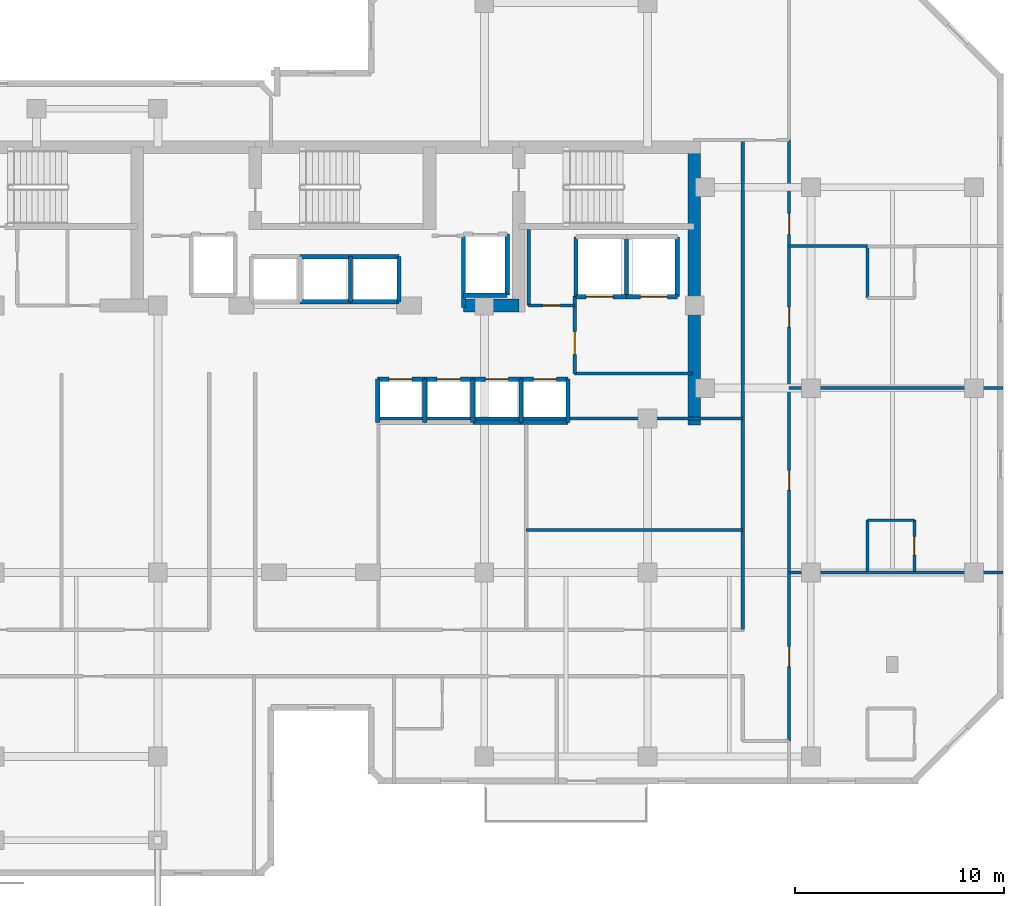
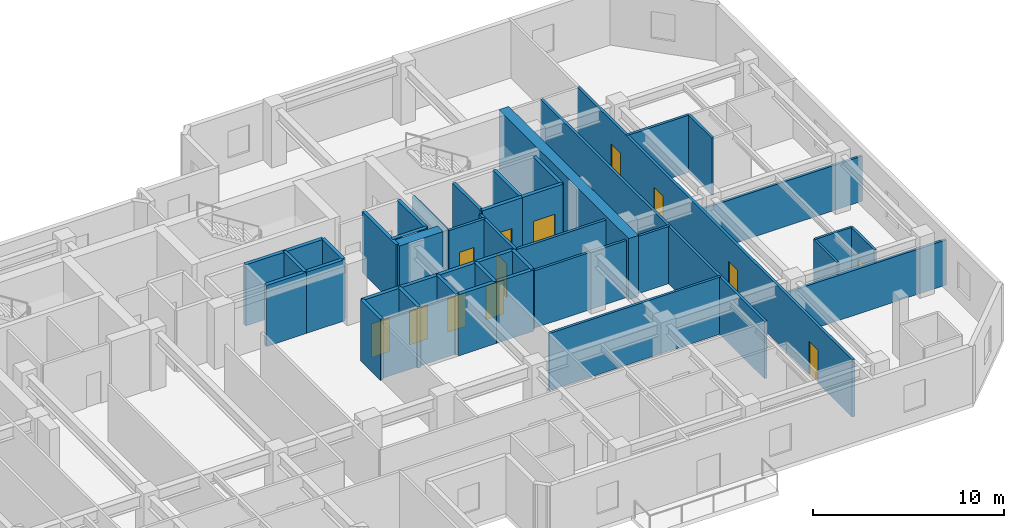
# One storey, part 6 of 10: 42 walls, 13 doors, 13 openings.
"""IFC4 building model written with IfcOpenShell, lengths in metres."""

from ifc_helpers import new_model, si_unit, direction, frame, frame_2d, origin, place, context, subcontext, project, spatial, rectangle, extrude, material, layer, layer_set, type_object, element, fill, save


model = new_model("IFC4")

# Units and contexts
model_context = context("Model", 3, precision=1e-05, world=origin(), true_north=direction((0.0, 1.0)))
body_context = subcontext(model_context, "Body", "Model", "MODEL_VIEW")
ifc_project = project(units=[si_unit("LENGTHUNIT", "METRE"), si_unit("AREAUNIT", "SQUARE_METRE"), si_unit("VOLUMEUNIT", "CUBIC_METRE"), si_unit("PLANEANGLEUNIT", "RADIAN"), si_unit("MASSUNIT", "GRAM", prefix="KILO")], contexts=[model_context])

# Site, building, storey
site_placement = place(None, origin())
site = spatial("IfcSite", under=ifc_project, at=site_placement, CompositionType="ELEMENT")
building_placement = place(site_placement, origin())
building = spatial("IfcBuilding", under=site, at=building_placement, Name="Kestravale Grand Hotel", CompositionType="ELEMENT")
storey_placement = place(building_placement, frame((0.0, 0.0, 196.800048828125)))
storey = spatial("IfcBuildingStorey", under=building, at=storey_placement, Name="L49", CompositionType="ELEMENT", Elevation=196.800048828125)

# Walls
ifc_material_1 = material(Name="Concrete f'c 50 MPa", Category="concrete")
ifc_layer_1 = layer(ifc_material_1, 0.60009765625)
ifc_layer_set_1 = layer_set([ifc_layer_1], Name="EW-CORE-600")
wall_type_1 = type_object("IfcWallType", Name="EW-CORE-600", PredefinedType="SHEAR", material=ifc_layer_set_1)
wall_1_placement = place(storey_placement, frame((56.820068359375, 27.050048828125, 0.0), z_axis=(0.0, 0.0, 1.0), x_axis=(0.0, 1.0, 0.0)))
element("IfcWall", 1, at=wall_1_placement, inside=storey, type_object=wall_type_1, Name="L49 core shear wall E1", PredefinedType="SHEAR", context=body_context, shape_type="SweptSolid", body=[
    extrude(rectangle(XDim=13.570068359375, YDim=0.60009765625, at=frame_2d((6.78515625, 0.0))), origin(), (0.0, 0.0, 1.0), 3.89990234375),
])
wall_2_placement = place(storey_placement, frame((45.81005859375, 32.75, 0.0), z_axis=(0.0, 0.0, 1.0), x_axis=(1.0, 0.0, 0.0)))
element("IfcWall", 2, at=wall_2_placement, inside=storey, type_object=wall_type_1, Name="L49 core shear wall S2", PredefinedType="SHEAR", context=body_context, shape_type="SweptSolid", body=[
    extrude(rectangle(XDim=2.639892578125, YDim=0.60009765625, at=frame_2d((1.31982421875, 0.0))), origin(), (0.0, 0.0, 1.0), 3.89990234375),
])

# Wall, opening, door
ifc_material_2 = material(Name="Acoustic fire-rated gypsum board partition", Category="other")
ifc_layer_2 = layer(ifc_material_2, 0.159912109375)
ifc_layer_set_2 = layer_set([ifc_layer_2], Name="IW-CORR-160")
wall_type_2 = type_object("IfcWallType", Name="IW-CORR-160", PredefinedType="PARTITIONING", material=ifc_layer_set_2)
wall_3_placement = place(storey_placement, frame((51.1201171875, 29.5, 0.0), z_axis=(0.0, 0.0, 1.0), x_axis=(0.0, 1.0, 0.0)))
wall_3 = element("IfcWall", 3, at=wall_3_placement, inside=storey, type_object=wall_type_2, Name="W-L49-SVCLOB-W", PredefinedType="PARTITIONING", context=body_context, shape_type="SweptSolid", body=[
    extrude(rectangle(XDim=3.699951171875, YDim=0.159912109375, at=frame_2d((1.85009765625, 0.0))), origin(), (0.0, 0.0, 1.0), 3.64990234375),
])
opening_1_placement = place(wall_3_placement, frame((0.89990234375, 0.0, 0.0)))
opening_1 = element("IfcOpeningElement", 4, at=opening_1_placement, cuts=wall_3, Name="Opening D-CORR-1100", PredefinedType="OPENING", context=body_context, shape_type="SweptSolid", body=[
    extrude(rectangle(XDim=1.10009765625, YDim=2.14990234375, at=frame_2d((0.550048828125, 1.074951171875))), frame((0.0, 0.08984375, 0.0), z_axis=(0.0, -1.0, 0.0), x_axis=(1.0, 0.0, 0.0)), (0.0, 0.0, 1.0), 0.179931640625),
])
ifc_material_3 = material(Name="Single-leaf service vestibule fire door", Category="steel")
door_type_1 = type_object("IfcDoorType", Name="D-CORR-1100", OperationType="NOTDEFINED", PredefinedType="DOOR", material=ifc_material_3)
door_1_placement = place(opening_1_placement, origin())
door_1 = element("IfcDoor", 5, at=door_1_placement, inside=storey, type_object=door_type_1, Name="L49 service lift lobby door", OperationType="SINGLE_SWING_LEFT", OverallHeight=2.14990234375, OverallWidth=1.10009765625, PredefinedType="DOOR", context=body_context, shape_type="SweptSolid", body=[
    extrude(rectangle(XDim=1.10009765625, YDim=2.14990234375, at=frame_2d((0.550048828125, 1.074951171875))), frame((0.0, 0.02490234375, 0.0), z_axis=(0.0, -1.0, 0.0), x_axis=(1.0, 0.0, 0.0)), (0.0, 0.0, 1.0), 0.050048828125),
])
fill(opening_1, door_1)

# Wall
wall_4_placement = place(storey_placement, frame((51.1201171875, 29.5, 0.0), z_axis=(0.0, 0.0, 1.0), x_axis=(1.0, 0.0, 0.0)))
element("IfcWall", 6, at=wall_4_placement, inside=storey, type_object=wall_type_2, Name="L49 service lift lobby wall", PredefinedType="PARTITIONING", context=body_context, shape_type="SweptSolid", body=[
    extrude(rectangle(XDim=5.6298828125, YDim=0.159912109375, at=frame_2d((2.81494140625, 0.0))), origin(), (0.0, 0.0, 1.0), 3.64990234375),
])

# Wall, opening, door
wall_5_placement = place(storey_placement, frame((48.919921875, 32.75, 0.0), z_axis=(0.0, 0.0, 1.0), x_axis=(1.0, 0.0, 0.0)))
wall_5 = element("IfcWall", 7, at=wall_5_placement, inside=storey, type_object=wall_type_2, Name="W-L49-CES", PredefinedType="PARTITIONING", context=body_context, shape_type="SweptSolid", body=[
    extrude(rectangle(XDim=2.2001953125, YDim=0.159912109375, at=frame_2d((1.10009765625, 0.0))), origin(), (0.0, 0.0, 1.0), 3.64990234375),
])
opening_2_placement = place(wall_5_placement, frame((0.64990234375, 0.0, 0.0)))
opening_2 = element("IfcOpeningElement", 8, at=opening_2_placement, cuts=wall_5, Name="Opening D-SH-860", PredefinedType="OPENING", context=body_context, shape_type="SweptSolid", body=[
    extrude(rectangle(XDim=0.860107421875, YDim=2.050048828125, at=frame_2d((0.43017578125, 1.02490234375))), frame((0.0, 0.08984375, 0.0), z_axis=(0.0, -1.0, 0.0), x_axis=(1.0, 0.0, 0.0)), (0.0, 0.0, 1.0), 0.179931640625),
])
ifc_material_4 = material(Name="Galvanised 90-minute riser fire door", Category="steel")
door_type_2 = type_object("IfcDoorType", Name="D-SH-860", OperationType="NOTDEFINED", PredefinedType="DOOR", material=ifc_material_4)
door_2_placement = place(opening_2_placement, origin())
door_2 = element("IfcDoor", 9, at=door_2_placement, inside=storey, type_object=door_type_2, Name="L49 CSTO1 door", OperationType="SINGLE_SWING_RIGHT", OverallHeight=2.050048828125, OverallWidth=0.860107421875, PredefinedType="DOOR", context=body_context, shape_type="SweptSolid", body=[
    extrude(rectangle(XDim=0.860107421875, YDim=2.050048828125, at=frame_2d((0.43017578125, 1.02490234375))), frame((0.0, 0.02490234375, 0.0), z_axis=(0.0, -1.0, 0.0), x_axis=(1.0, 0.0, 0.0)), (0.0, 0.0, 1.0), 0.050048828125),
])
fill(opening_2, door_2)

# Wall, openings, doors
wall_6_placement = place(storey_placement, frame((61.360107421875, 11.949951171875, 0.0), z_axis=(0.0, 0.0, 1.0), x_axis=(0.0, 1.0, 0.0)))
wall_6 = element("IfcWall", 10, at=wall_6_placement, inside=storey, type_object=wall_type_2, Name="W-L49-SE-E", PredefinedType="PARTITIONING", context=body_context, shape_type="SweptSolid", body=[
    extrude(rectangle(XDim=28.699951171875, YDim=0.159912109375, at=frame_2d((14.35009765625, 0.0))), origin(), (0.0, 0.0, 1.0), 3.64990234375),
])
opening_3_placement = place(wall_6_placement, frame((3.550048828125, 0.0, 0.0)))
opening_3 = element("IfcOpeningElement", 11, at=opening_3_placement, cuts=wall_6, Name="Opening D-GUEST-950", PredefinedType="OPENING", context=body_context, shape_type="SweptSolid", body=[
    extrude(rectangle(XDim=0.949951171875, YDim=2.10009765625, at=frame_2d((0.47509765625, 1.050048828125))), frame((0.0, 0.08984375, 0.0), z_axis=(0.0, -1.0, 0.0), x_axis=(1.0, 0.0, 0.0)), (0.0, 0.0, 1.0), 0.179931640625),
])
opening_4_placement = place(wall_6_placement, frame((11.97509765625, 0.0, 0.0)))
opening_4 = element("IfcOpeningElement", 12, at=opening_4_placement, cuts=wall_6, Name="Opening D-GUEST-950", PredefinedType="OPENING", context=body_context, shape_type="SweptSolid", body=[
    extrude(rectangle(XDim=0.949951171875, YDim=2.10009765625, at=frame_2d((0.47509765625, 1.050048828125))), frame((0.0, 0.08984375, 0.0), z_axis=(0.0, -1.0, 0.0), x_axis=(1.0, 0.0, 0.0)), (0.0, 0.0, 1.0), 0.179931640625),
])
opening_5_placement = place(wall_6_placement, frame((19.77490234375, 0.0, 0.0)))
opening_5 = element("IfcOpeningElement", 13, at=opening_5_placement, cuts=wall_6, Name="Opening D-GUEST-950", PredefinedType="OPENING", context=body_context, shape_type="SweptSolid", body=[
    extrude(rectangle(XDim=0.949951171875, YDim=2.10009765625, at=frame_2d((0.47509765625, 1.050048828125))), frame((0.0, 0.08984375, 0.0), z_axis=(0.0, -1.0, 0.0), x_axis=(1.0, 0.0, 0.0)), (0.0, 0.0, 1.0), 0.179931640625),
])
opening_6_placement = place(wall_6_placement, frame((24.199951171875, 0.0, 0.0)))
opening_6 = element("IfcOpeningElement", 14, at=opening_6_placement, cuts=wall_6, Name="Opening D-GUEST-1000", PredefinedType="OPENING", context=body_context, shape_type="SweptSolid", body=[
    extrude(rectangle(XDim=1.0, YDim=2.14990234375, at=frame_2d((0.5, 1.074951171875))), frame((0.0, 0.08984375, 0.0), z_axis=(0.0, -1.0, 0.0), x_axis=(1.0, 0.0, 0.0)), (0.0, 0.0, 1.0), 0.179931640625),
])
ifc_material_5 = material(Name="Accessible walnut veneer hotel entrance fire door", Category="wood")
door_type_3 = type_object("IfcDoorType", Name="D-GUEST-1000", OperationType="NOTDEFINED", PredefinedType="DOOR", material=ifc_material_5)
door_3_placement = place(opening_6_placement, origin())
door_3 = element("IfcDoor", 15, at=door_3_placement, inside=storey, type_object=door_type_3, Name="D-L49-AMEW", OperationType="SINGLE_SWING_RIGHT", OverallHeight=2.14990234375, OverallWidth=1.0, PredefinedType="DOOR", context=body_context, shape_type="SweptSolid", body=[
    extrude(rectangle(XDim=1.0, YDim=2.14990234375, at=frame_2d((0.5, 1.074951171875))), frame((0.0, 0.02490234375, 0.0), z_axis=(0.0, -1.0, 0.0), x_axis=(1.0, 0.0, 0.0)), (0.0, 0.0, 1.0), 0.050048828125),
])
fill(opening_6, door_3)
ifc_material_6 = material(Name="Walnut veneer hotel guestroom entrance fire door", Category="wood")
door_type_4 = type_object("IfcDoorType", Name="D-GUEST-950", OperationType="NOTDEFINED", PredefinedType="DOOR", material=ifc_material_6)
door_4_placement = place(opening_3_placement, origin())
door_4 = element("IfcDoor", 16, at=door_4_placement, inside=storey, type_object=door_type_4, Name="D-L49-U05-ENT", OperationType="SINGLE_SWING_LEFT", OverallHeight=2.10009765625, OverallWidth=0.949951171875, PredefinedType="DOOR", context=body_context, shape_type="SweptSolid", body=[
    extrude(rectangle(XDim=0.949951171875, YDim=2.10009765625, at=frame_2d((0.47509765625, 1.050048828125))), frame((0.0, 0.02490234375, 0.0), z_axis=(0.0, -1.0, 0.0), x_axis=(1.0, 0.0, 0.0)), (0.0, 0.0, 1.0), 0.050048828125),
])
fill(opening_3, door_4)
door_5_placement = place(opening_4_placement, origin())
door_5 = element("IfcDoor", 17, at=door_5_placement, inside=storey, type_object=door_type_4, Name="D-L49-U06-ENT", OperationType="SINGLE_SWING_LEFT", OverallHeight=2.10009765625, OverallWidth=0.949951171875, PredefinedType="DOOR", context=body_context, shape_type="SweptSolid", body=[
    extrude(rectangle(XDim=0.949951171875, YDim=2.10009765625, at=frame_2d((0.47509765625, 1.050048828125))), frame((0.0, 0.02490234375, 0.0), z_axis=(0.0, -1.0, 0.0), x_axis=(1.0, 0.0, 0.0)), (0.0, 0.0, 1.0), 0.050048828125),
])
fill(opening_4, door_5)
door_6_placement = place(opening_5_placement, origin())
door_6 = element("IfcDoor", 18, at=door_6_placement, inside=storey, type_object=door_type_4, Name="D-L49-U07-ENT", OperationType="SINGLE_SWING_LEFT", OverallHeight=2.10009765625, OverallWidth=0.949951171875, PredefinedType="DOOR", context=body_context, shape_type="SweptSolid", body=[
    extrude(rectangle(XDim=0.949951171875, YDim=2.10009765625, at=frame_2d((0.47509765625, 1.050048828125))), frame((0.0, 0.02490234375, 0.0), z_axis=(0.0, -1.0, 0.0), x_axis=(1.0, 0.0, 0.0)), (0.0, 0.0, 1.0), 0.050048828125),
])
fill(opening_5, door_6)

# Walls
wall_7_placement = place(storey_placement, frame((59.139892578125, 17.260009765625, 0.0), z_axis=(0.0, 0.0, 1.0), x_axis=(0.0, 1.0, 0.0)))
element("IfcWall", 19, at=wall_7_placement, inside=storey, type_object=wall_type_2, Name="W-L49-SE-WU", PredefinedType="PARTITIONING", context=body_context, shape_type="SweptSolid", body=[
    extrude(rectangle(XDim=23.389892578125, YDim=0.159912109375, at=frame_2d((11.69482421875, 0.0))), origin(), (0.0, 0.0, 1.0), 3.64990234375),
])
ifc_material_7 = material(Name="Moisture-resistant tile-backer plumbing chase wall", Category="other")
ifc_layer_3 = layer(ifc_material_7, 0.139892578125)
ifc_layer_set_3 = layer_set([ifc_layer_3], Name="IW-PLB-140")
wall_type_3 = type_object("IfcWallType", Name="IW-PLB-140", PredefinedType="PLUMBINGWALL", material=ifc_layer_set_3)
wall_8_placement = place(storey_placement, frame((65.10009765625, 20.0400390625, 0.0), z_axis=(0.0, 0.0, 1.0), x_axis=(0.0, 1.0, 0.0)))
element("IfcWall", 20, at=wall_8_placement, inside=storey, type_object=wall_type_3, Name="W-L49-U06-BW", PredefinedType="PLUMBINGWALL", context=body_context, shape_type="SweptSolid", body=[
    extrude(rectangle(XDim=2.449951171875, YDim=0.139892578125, at=frame_2d((1.22509765625, 0.0))), origin(), (0.0, 0.0, 1.0), 3.64990234375),
])

# Wall, opening, door
wall_9_placement = place(storey_placement, frame((67.35009765625, 20.0400390625, 0.0), z_axis=(0.0, 0.0, 1.0), x_axis=(0.0, 1.0, 0.0)))
wall_9 = element("IfcWall", 21, at=wall_9_placement, inside=storey, type_object=wall_type_3, Name="W-L49-U06-BE", PredefinedType="PLUMBINGWALL", context=body_context, shape_type="SweptSolid", body=[
    extrude(rectangle(XDim=2.449951171875, YDim=0.139892578125, at=frame_2d((1.22509765625, 0.0))), origin(), (0.0, 0.0, 1.0), 3.64990234375),
])
opening_7_placement = place(wall_9_placement, frame((0.784912109375, 0.0, 0.0)))
opening_7 = element("IfcOpeningElement", 22, at=opening_7_placement, cuts=wall_9, Name="Opening D-BATH-880", PredefinedType="OPENING", context=body_context, shape_type="SweptSolid", body=[
    extrude(rectangle(XDim=0.8798828125, YDim=2.050048828125, at=frame_2d((0.43994140625, 1.02490234375))), frame((0.0, 0.079833984375, 0.0), z_axis=(0.0, -1.0, 0.0), x_axis=(1.0, 0.0, 0.0)), (0.0, 0.0, 1.0), 0.159912109375),
])
ifc_material_8 = material(Name="Moisture-sealed walnut en-suite bathroom door", Category="wood")
door_type_5 = type_object("IfcDoorType", Name="D-BATH-880", OperationType="NOTDEFINED", PredefinedType="DOOR", material=ifc_material_8)
door_7_placement = place(opening_7_placement, origin())
door_7 = element("IfcDoor", 23, at=door_7_placement, inside=storey, type_object=door_type_5, Name="D-L49-U06-BATH", OperationType="SINGLE_SWING_RIGHT", OverallHeight=2.050048828125, OverallWidth=0.8798828125, PredefinedType="DOOR", context=body_context, shape_type="SweptSolid", body=[
    extrude(rectangle(XDim=0.8798828125, YDim=2.050048828125, at=frame_2d((0.43994140625, 1.02490234375))), frame((0.0, 0.02490234375, 0.0), z_axis=(0.0, -1.0, 0.0), x_axis=(1.0, 0.0, 0.0)), (0.0, 0.0, 1.0), 0.050048828125),
])
fill(opening_7, door_7)

# Walls
wall_10_placement = place(storey_placement, frame((65.10009765625, 22.489990234375, 0.0), z_axis=(0.0, 0.0, 1.0), x_axis=(1.0, 0.0, 0.0)))
element("IfcWall", 24, at=wall_10_placement, inside=storey, type_object=wall_type_3, Name="W-L49-U06-BN", PredefinedType="PLUMBINGWALL", context=body_context, shape_type="SweptSolid", body=[
    extrude(rectangle(XDim=2.25, YDim=0.139892578125, at=frame_2d((1.125, 0.0))), origin(), (0.0, 0.0, 1.0), 3.64990234375),
])
wall_11_placement = place(storey_placement, frame((65.10009765625, 33.110107421875, 0.0), z_axis=(0.0, 0.0, 1.0), x_axis=(0.0, 1.0, 0.0)))
element("IfcWall", 25, at=wall_11_placement, inside=storey, type_object=wall_type_3, Name="W-L49-U07-BW", PredefinedType="PLUMBINGWALL", context=body_context, shape_type="SweptSolid", body=[
    extrude(rectangle(XDim=2.449951171875, YDim=0.139892578125, at=frame_2d((1.22509765625, 0.0))), origin(), (0.0, 0.0, 1.0), 3.64990234375),
])
ifc_material_9 = material(Name="Concrete f'c 45 MPa", Category="concrete")
ifc_layer_4 = layer(ifc_material_9, 0.199951171875)
ifc_layer_set_4 = layer_set([ifc_layer_4], Name="IW-SHAFT-200")
wall_type_4 = type_object("IfcWallType", Name="IW-SHAFT-200", PredefinedType="SHEAR", material=ifc_layer_set_4)
for number, where, z_axis, x_axis, name in (
    (26, (41.705078125, 27.169921875, 0.0), (0.0, 0.0, 1.0), (0.0, 1.0, 0.0), "L49 PL-M1 west shaft wall"),
    (27, (43.949951171875, 27.169921875, 0.0), (0.0, 0.0, 1.0), (0.0, 1.0, 0.0), "L49 PL-M2 west shaft wall"),
    (28, (46.25, 27.169921875, 0.0), (0.0, 0.0, 1.0), (0.0, 1.0, 0.0), "L49 PL-M3 west shaft wall"),
    (29, (48.550048828125, 27.169921875, 0.0), (0.0, 0.0, 1.0), (0.0, 1.0, 0.0), "L49 PL-M4 west shaft wall"),
    (30, (50.794921875, 27.169921875, 0.0), (0.0, 0.0, 1.0), (0.0, 1.0, 0.0), "L49 PL-M4 east shaft wall"),
):
    element("IfcWall", number, at=place(storey_placement, frame(where, z_axis=z_axis, x_axis=x_axis)), inside=storey, type_object=wall_type_4, Name=name, PredefinedType="SHEAR", context=body_context, shape_type="SweptSolid", body=[
        extrude(rectangle(XDim=2.06005859375, YDim=0.199951171875, at=frame_2d((1.030029296875, 0.0))), origin(), (0.0, 0.0, 1.0), 3.89990234375),
    ])
for number, where, z_axis, x_axis, name in (
    (31, (40.39990234375, 32.919921875, 0.0), (0.0, 0.0, 1.0), (0.0, 1.0, 0.0), "L49 PL-X3 west shaft wall"),
    (32, (42.719970703125, 32.919921875, 0.0), (0.0, 0.0, 1.0), (0.0, 1.0, 0.0), "L49 PL-X3 east shaft wall"),
):
    element("IfcWall", number, at=place(storey_placement, frame(where, z_axis=z_axis, x_axis=x_axis)), inside=storey, type_object=wall_type_4, Name=name, PredefinedType="SHEAR", context=body_context, shape_type="SweptSolid", body=[
        extrude(rectangle(XDim=2.16015625, YDim=0.199951171875, at=frame_2d((1.080078125, 0.0))), origin(), (0.0, 0.0, 1.0), 3.89990234375),
    ])
for number, where, z_axis, x_axis, name in (
    (33, (51.179931640625, 33.169921875, 0.0), (0.0, 0.0, 1.0), (0.0, 1.0, 0.0), "L49 SL-1 west shaft wall"),
    (34, (53.60009765625, 33.169921875, 0.0), (0.0, 0.0, 1.0), (0.0, 1.0, 0.0), "L49 SL-2 west shaft wall"),
    (35, (56.02001953125, 33.169921875, 0.0), (0.0, 0.0, 1.0), (0.0, 1.0, 0.0), "L49 SL-2 east shaft wall"),
):
    element("IfcWall", number, at=place(storey_placement, frame(where, z_axis=z_axis, x_axis=x_axis)), inside=storey, type_object=wall_type_4, Name=name, PredefinedType="SHEAR", context=body_context, shape_type="SweptSolid", body=[
        extrude(rectangle(XDim=2.860107421875, YDim=0.199951171875, at=frame_2d((1.43017578125, 0.0))), origin(), (0.0, 0.0, 1.0), 3.89990234375),
    ])
wall_12_placement = place(storey_placement, frame((45.804931640625, 32.64990234375, 0.0), z_axis=(0.0, 0.0, 1.0), x_axis=(0.0, 1.0, 0.0)))
element("IfcWall", 36, at=wall_12_placement, inside=storey, type_object=wall_type_4, Name="L49 FL-2 west shaft wall", PredefinedType="SHEAR", context=body_context, shape_type="SweptSolid", body=[
    extrude(rectangle(XDim=3.505126953125, YDim=0.199951171875, at=frame_2d((1.75244140625, 0.0))), origin(), (0.0, 0.0, 1.0), 3.89990234375),
])
wall_13_placement = place(storey_placement, frame((47.89501953125, 33.2451171875, 0.0), z_axis=(0.0, 0.0, 1.0), x_axis=(0.0, 1.0, 0.0)))
element("IfcWall", 37, at=wall_13_placement, inside=storey, type_object=wall_type_4, Name="L49 FL-2 east shaft wall", PredefinedType="SHEAR", context=body_context, shape_type="SweptSolid", body=[
    extrude(rectangle(XDim=2.909912109375, YDim=0.199951171875, at=frame_2d((1.455078125, 0.0))), origin(), (0.0, 0.0, 1.0), 3.89990234375),
])

# Wall, opening, door
ifc_material_10 = material(Name="Concrete f'c 45 MPa", Category="concrete")
ifc_layer_5 = layer(ifc_material_10, 0.219970703125)
ifc_layer_set_5 = layer_set([ifc_layer_5], Name="IW-SHAFT-220")
wall_type_5 = type_object("IfcWallType", Name="IW-SHAFT-220", PredefinedType="SHEAR", material=ifc_layer_set_5)
wall_14_placement = place(storey_placement, frame((41.705078125, 29.22998046875, 0.0), z_axis=(0.0, 0.0, 1.0), x_axis=(1.0, 0.0, 0.0)))
wall_14 = element("IfcWall", 38, at=wall_14_placement, inside=storey, type_object=wall_type_5, Name="L49 PL-M1 north shaft wall", PredefinedType="SHEAR", context=body_context, shape_type="SweptSolid", body=[
    extrude(rectangle(XDim=2.244873046875, YDim=0.219970703125, at=frame_2d((1.12255859375, 0.0))), origin(), (0.0, 0.0, 1.0), 3.89990234375),
])
opening_8_placement = place(wall_14_placement, frame((0.544921875, 0.0, 0.0)))
opening_8 = element("IfcOpeningElement", 39, at=opening_8_placement, cuts=wall_14, Name="Opening LD-PAX-1100", PredefinedType="OPENING", context=body_context, shape_type="SweptSolid", body=[
    extrude(rectangle(XDim=1.10009765625, YDim=2.14990234375, at=frame_2d((0.550048828125, 1.074951171875))), frame((0.0, 0.119873046875, 0.0), z_axis=(0.0, -1.0, 0.0), x_axis=(1.0, 0.0, 0.0)), (0.0, 0.0, 1.0), 0.239990234375),
])
ifc_material_11 = material(Name="Champagne-bronze center-opening sliding elevator landing door", Category="steel")
door_type_6 = type_object("IfcDoorType", Name="LD-PAX-1100", OperationType="NOTDEFINED", PredefinedType="DOOR", material=ifc_material_11)
door_8_placement = place(opening_8_placement, origin())
door_8 = element("IfcDoor", 40, at=door_8_placement, inside=storey, type_object=door_type_6, Name="L49 PL-M1 elevator landing sliding door", OperationType="DOUBLE_DOOR_SLIDING", OverallHeight=2.14990234375, OverallWidth=1.10009765625, PredefinedType="DOOR", context=body_context, shape_type="SweptSolid", body=[
    extrude(rectangle(XDim=1.10009765625, YDim=2.14990234375, at=frame_2d((0.550048828125, 1.074951171875))), frame((0.0, 0.02490234375, 0.0), z_axis=(0.0, -1.0, 0.0), x_axis=(1.0, 0.0, 0.0)), (0.0, 0.0, 1.0), 0.050048828125),
])
fill(opening_8, door_8)

wall_15_placement = place(storey_placement, frame((43.949951171875, 29.22998046875, 0.0), z_axis=(0.0, 0.0, 1.0), x_axis=(1.0, 0.0, 0.0)))
wall_15 = element("IfcWall", 41, at=wall_15_placement, inside=storey, type_object=wall_type_5, Name="L49 PL-M2 north shaft wall", PredefinedType="SHEAR", context=body_context, shape_type="SweptSolid", body=[
    extrude(rectangle(XDim=2.300048828125, YDim=0.219970703125, at=frame_2d((1.14990234375, 0.0))), origin(), (0.0, 0.0, 1.0), 3.89990234375),
])
opening_9_placement = place(wall_15_placement, frame((0.60009765625, 0.0, 0.0)))
opening_9 = element("IfcOpeningElement", 42, at=opening_9_placement, cuts=wall_15, Name="Opening LD-PAX-1100", PredefinedType="OPENING", context=body_context, shape_type="SweptSolid", body=[
    extrude(rectangle(XDim=1.10009765625, YDim=2.14990234375, at=frame_2d((0.550048828125, 1.074951171875))), frame((0.0, 0.119873046875, 0.0), z_axis=(0.0, -1.0, 0.0), x_axis=(1.0, 0.0, 0.0)), (0.0, 0.0, 1.0), 0.239990234375),
])
door_9_placement = place(opening_9_placement, origin())
door_9 = element("IfcDoor", 43, at=door_9_placement, inside=storey, type_object=door_type_6, Name="L49 PL-M2 elevator landing sliding door", OperationType="DOUBLE_DOOR_SLIDING", OverallHeight=2.14990234375, OverallWidth=1.10009765625, PredefinedType="DOOR", context=body_context, shape_type="SweptSolid", body=[
    extrude(rectangle(XDim=1.10009765625, YDim=2.14990234375, at=frame_2d((0.550048828125, 1.074951171875))), frame((0.0, 0.02490234375, 0.0), z_axis=(0.0, -1.0, 0.0), x_axis=(1.0, 0.0, 0.0)), (0.0, 0.0, 1.0), 0.050048828125),
])
fill(opening_9, door_9)

wall_16_placement = place(storey_placement, frame((46.25, 29.22998046875, 0.0), z_axis=(0.0, 0.0, 1.0), x_axis=(1.0, 0.0, 0.0)))
wall_16 = element("IfcWall", 44, at=wall_16_placement, inside=storey, type_object=wall_type_5, Name="L49 PL-M3 north shaft wall", PredefinedType="SHEAR", context=body_context, shape_type="SweptSolid", body=[
    extrude(rectangle(XDim=2.300048828125, YDim=0.219970703125, at=frame_2d((1.14990234375, 0.0))), origin(), (0.0, 0.0, 1.0), 3.89990234375),
])
opening_10_placement = place(wall_16_placement, frame((0.60009765625, 0.0, 0.0)))
opening_10 = element("IfcOpeningElement", 45, at=opening_10_placement, cuts=wall_16, Name="Opening LD-PAX-1100", PredefinedType="OPENING", context=body_context, shape_type="SweptSolid", body=[
    extrude(rectangle(XDim=1.10009765625, YDim=2.14990234375, at=frame_2d((0.550048828125, 1.074951171875))), frame((0.0, 0.119873046875, 0.0), z_axis=(0.0, -1.0, 0.0), x_axis=(1.0, 0.0, 0.0)), (0.0, 0.0, 1.0), 0.239990234375),
])
door_10_placement = place(opening_10_placement, origin())
door_10 = element("IfcDoor", 46, at=door_10_placement, inside=storey, type_object=door_type_6, Name="L49 PL-M3 elevator landing sliding door", OperationType="DOUBLE_DOOR_SLIDING", OverallHeight=2.14990234375, OverallWidth=1.10009765625, PredefinedType="DOOR", context=body_context, shape_type="SweptSolid", body=[
    extrude(rectangle(XDim=1.10009765625, YDim=2.14990234375, at=frame_2d((0.550048828125, 1.074951171875))), frame((0.0, 0.02490234375, 0.0), z_axis=(0.0, -1.0, 0.0), x_axis=(1.0, 0.0, 0.0)), (0.0, 0.0, 1.0), 0.050048828125),
])
fill(opening_10, door_10)

# Wall
wall_17_placement = place(storey_placement, frame((46.25, 27.169921875, 0.0), z_axis=(0.0, 0.0, 1.0), x_axis=(1.0, 0.0, 0.0)))
element("IfcWall", 47, at=wall_17_placement, inside=storey, type_object=wall_type_5, Name="L49 PL-M3 south shaft wall", PredefinedType="SHEAR", context=body_context, shape_type="SweptSolid", body=[
    extrude(rectangle(XDim=2.300048828125, YDim=0.219970703125, at=frame_2d((1.14990234375, 0.0))), origin(), (0.0, 0.0, 1.0), 3.89990234375),
])

# Wall, opening, door
wall_18_placement = place(storey_placement, frame((48.550048828125, 29.22998046875, 0.0), z_axis=(0.0, 0.0, 1.0), x_axis=(1.0, 0.0, 0.0)))
wall_18 = element("IfcWall", 48, at=wall_18_placement, inside=storey, type_object=wall_type_5, Name="L49 PL-M4 north shaft wall", PredefinedType="SHEAR", context=body_context, shape_type="SweptSolid", body=[
    extrude(rectangle(XDim=2.244873046875, YDim=0.219970703125, at=frame_2d((1.12255859375, 0.0))), origin(), (0.0, 0.0, 1.0), 3.89990234375),
])
opening_11_placement = place(wall_18_placement, frame((0.60009765625, 0.0, 0.0)))
opening_11 = element("IfcOpeningElement", 49, at=opening_11_placement, cuts=wall_18, Name="Opening LD-PAX-1100", PredefinedType="OPENING", context=body_context, shape_type="SweptSolid", body=[
    extrude(rectangle(XDim=1.10009765625, YDim=2.14990234375, at=frame_2d((0.550048828125, 1.074951171875))), frame((0.0, 0.119873046875, 0.0), z_axis=(0.0, -1.0, 0.0), x_axis=(1.0, 0.0, 0.0)), (0.0, 0.0, 1.0), 0.239990234375),
])
door_11_placement = place(opening_11_placement, origin())
door_11 = element("IfcDoor", 50, at=door_11_placement, inside=storey, type_object=door_type_6, Name="L49 PL-M4 elevator landing sliding door", OperationType="DOUBLE_DOOR_SLIDING", OverallHeight=2.14990234375, OverallWidth=1.10009765625, PredefinedType="DOOR", context=body_context, shape_type="SweptSolid", body=[
    extrude(rectangle(XDim=1.10009765625, YDim=2.14990234375, at=frame_2d((0.550048828125, 1.074951171875))), frame((0.0, 0.02490234375, 0.0), z_axis=(0.0, -1.0, 0.0), x_axis=(1.0, 0.0, 0.0)), (0.0, 0.0, 1.0), 0.050048828125),
])
fill(opening_11, door_11)

# Walls
wall_19_placement = place(storey_placement, frame((48.550048828125, 27.169921875, 0.0), z_axis=(0.0, 0.0, 1.0), x_axis=(1.0, 0.0, 0.0)))
element("IfcWall", 51, at=wall_19_placement, inside=storey, type_object=wall_type_5, Name="L49 PL-M4 south shaft wall", PredefinedType="SHEAR", context=body_context, shape_type="SweptSolid", body=[
    extrude(rectangle(XDim=2.244873046875, YDim=0.219970703125, at=frame_2d((1.12255859375, 0.0))), origin(), (0.0, 0.0, 1.0), 3.89990234375),
])
for number, where, z_axis, x_axis, name in (
    (52, (38.0, 35.080078125, 0.0), (0.0, 0.0, 1.0), (1.0, 0.0, 0.0), "L49 PL-X2 north shaft wall"),
    (53, (38.0, 32.919921875, 0.0), (0.0, 0.0, 1.0), (1.0, 0.0, 0.0), "L49 PL-X2 south shaft wall"),
):
    element("IfcWall", number, at=place(storey_placement, frame(where, z_axis=z_axis, x_axis=x_axis)), inside=storey, type_object=wall_type_5, Name=name, PredefinedType="SHEAR", context=body_context, shape_type="SweptSolid", body=[
        extrude(rectangle(XDim=2.39990234375, YDim=0.219970703125, at=frame_2d((1.199951171875, 0.0))), origin(), (0.0, 0.0, 1.0), 3.89990234375),
    ])
for number, where, z_axis, x_axis, name in (
    (54, (40.39990234375, 35.080078125, 0.0), (0.0, 0.0, 1.0), (1.0, 0.0, 0.0), "L49 PL-X3 north shaft wall"),
    (55, (40.39990234375, 32.919921875, 0.0), (0.0, 0.0, 1.0), (1.0, 0.0, 0.0), "L49 PL-X3 south shaft wall"),
):
    element("IfcWall", number, at=place(storey_placement, frame(where, z_axis=z_axis, x_axis=x_axis)), inside=storey, type_object=wall_type_5, Name=name, PredefinedType="SHEAR", context=body_context, shape_type="SweptSolid", body=[
        extrude(rectangle(XDim=2.320068359375, YDim=0.219970703125, at=frame_2d((1.16015625, 0.0))), origin(), (0.0, 0.0, 1.0), 3.89990234375),
    ])

# Wall, opening, door
wall_20_placement = place(storey_placement, frame((51.179931640625, 33.169921875, 0.0), z_axis=(0.0, 0.0, 1.0), x_axis=(1.0, 0.0, 0.0)))
wall_20 = element("IfcWall", 56, at=wall_20_placement, inside=storey, type_object=wall_type_5, Name="L49 SL-1 south shaft wall", PredefinedType="SHEAR", context=body_context, shape_type="SweptSolid", body=[
    extrude(rectangle(XDim=2.420166015625, YDim=0.219970703125, at=frame_2d((1.2099609375, 0.0))), origin(), (0.0, 0.0, 1.0), 3.89990234375),
])
opening_12_placement = place(wall_20_placement, frame((0.469970703125, 0.0, 0.0)))
opening_12 = element("IfcOpeningElement", 57, at=opening_12_placement, cuts=wall_20, Name="Opening LD-SVC-1300", PredefinedType="OPENING", context=body_context, shape_type="SweptSolid", body=[
    extrude(rectangle(XDim=1.300048828125, YDim=2.14990234375, at=frame_2d((0.64990234375, 1.074951171875))), frame((0.0, 0.119873046875, 0.0), z_axis=(0.0, -1.0, 0.0), x_axis=(1.0, 0.0, 0.0)), (0.0, 0.0, 1.0), 0.239990234375),
])
ifc_material_12 = material(Name="Heavy-duty service sliding elevator landing door", Category="steel")
door_type_7 = type_object("IfcDoorType", Name="LD-SVC-1300", OperationType="NOTDEFINED", PredefinedType="DOOR", material=ifc_material_12)
door_12_placement = place(opening_12_placement, origin())
door_12 = element("IfcDoor", 58, at=door_12_placement, inside=storey, type_object=door_type_7, Name="L49 SL-1 elevator landing sliding door", OperationType="DOUBLE_DOOR_SLIDING", OverallHeight=2.14990234375, OverallWidth=1.300048828125, PredefinedType="DOOR", context=body_context, shape_type="SweptSolid", body=[
    extrude(rectangle(XDim=1.300048828125, YDim=2.14990234375, at=frame_2d((0.64990234375, 1.074951171875))), frame((0.0, 0.02490234375, 0.0), z_axis=(0.0, -1.0, 0.0), x_axis=(1.0, 0.0, 0.0)), (0.0, 0.0, 1.0), 0.050048828125),
])
fill(opening_12, door_12)

wall_21_placement = place(storey_placement, frame((53.60009765625, 33.169921875, 0.0), z_axis=(0.0, 0.0, 1.0), x_axis=(1.0, 0.0, 0.0)))
wall_21 = element("IfcWall", 59, at=wall_21_placement, inside=storey, type_object=wall_type_5, Name="L49 SL-2 south shaft wall", PredefinedType="SHEAR", context=body_context, shape_type="SweptSolid", body=[
    extrude(rectangle(XDim=2.419921875, YDim=0.219970703125, at=frame_2d((1.2099609375, 0.0))), origin(), (0.0, 0.0, 1.0), 3.89990234375),
])
opening_13_placement = place(wall_21_placement, frame((0.64990234375, 0.0, 0.0)))
opening_13 = element("IfcOpeningElement", 60, at=opening_13_placement, cuts=wall_21, Name="Opening LD-SVC-1300", PredefinedType="OPENING", context=body_context, shape_type="SweptSolid", body=[
    extrude(rectangle(XDim=1.300048828125, YDim=2.14990234375, at=frame_2d((0.64990234375, 1.074951171875))), frame((0.0, 0.119873046875, 0.0), z_axis=(0.0, -1.0, 0.0), x_axis=(1.0, 0.0, 0.0)), (0.0, 0.0, 1.0), 0.239990234375),
])
door_13_placement = place(opening_13_placement, origin())
door_13 = element("IfcDoor", 61, at=door_13_placement, inside=storey, type_object=door_type_7, Name="L49 SL-2 elevator landing sliding door", OperationType="DOUBLE_DOOR_SLIDING", OverallHeight=2.14990234375, OverallWidth=1.300048828125, PredefinedType="DOOR", context=body_context, shape_type="SweptSolid", body=[
    extrude(rectangle(XDim=1.300048828125, YDim=2.14990234375, at=frame_2d((0.64990234375, 1.074951171875))), frame((0.0, 0.02490234375, 0.0), z_axis=(0.0, -1.0, 0.0), x_axis=(1.0, 0.0, 0.0)), (0.0, 0.0, 1.0), 0.050048828125),
])
fill(opening_13, door_13)

# Walls
wall_22_placement = place(storey_placement, frame((45.804931640625, 33.2451171875, 0.0), z_axis=(0.0, 0.0, 1.0), x_axis=(1.0, 0.0, 0.0)))
element("IfcWall", 62, at=wall_22_placement, inside=storey, type_object=wall_type_5, Name="L49 FL-2 south shaft wall", PredefinedType="SHEAR", context=body_context, shape_type="SweptSolid", body=[
    extrude(rectangle(XDim=2.090087890625, YDim=0.219970703125, at=frame_2d((1.044921875, 0.0))), origin(), (0.0, 0.0, 1.0), 3.89990234375),
])
ifc_material_13 = material(Name="Double-stud STC 52 acoustic demising partition", Category="other")
ifc_layer_6 = layer(ifc_material_13, 0.14990234375)
ifc_layer_set_6 = layer_set([ifc_layer_6], Name="IW-UNIT-150")
wall_type_6 = type_object("IfcWallType", Name="IW-UNIT-150", PredefinedType="PARTITIONING", material=ifc_layer_set_6)
wall_23_placement = place(storey_placement, frame((48.919921875, 32.75, 0.0), z_axis=(0.0, 0.0, 1.0), x_axis=(0.0, 1.0, 0.0)))
element("IfcWall", 63, at=wall_23_placement, inside=storey, type_object=wall_type_6, Name="W-L49-CEW", PredefinedType="PARTITIONING", context=body_context, shape_type="SweptSolid", body=[
    extrude(rectangle(XDim=3.6201171875, YDim=0.14990234375, at=frame_2d((1.81005859375, 0.0))), origin(), (0.0, 0.0, 1.0), 3.64990234375),
])
wall_24_placement = place(storey_placement, frame((41.75, 27.35009765625, 0.0), z_axis=(0.0, 0.0, 1.0), x_axis=(1.0, 0.0, 0.0)))
element("IfcWall", 64, at=wall_24_placement, inside=storey, type_object=wall_type_6, Name="W-L49-RCLE-N", PredefinedType="PARTITIONING", context=body_context, shape_type="SweptSolid", body=[
    extrude(rectangle(XDim=17.389892578125, YDim=0.14990234375, at=frame_2d((8.69482421875, 0.0))), origin(), (0.0, 0.0, 1.0), 3.64990234375),
])
wall_25_placement = place(storey_placement, frame((48.800048828125, 22.02001953125, 0.0), z_axis=(0.0, 0.0, 1.0), x_axis=(1.0, 0.0, 0.0)))
element("IfcWall", 65, at=wall_25_placement, inside=storey, type_object=wall_type_6, Name="W-L49-RCLE-H", PredefinedType="PARTITIONING", context=body_context, shape_type="SweptSolid", body=[
    extrude(rectangle(XDim=10.33984375, YDim=0.14990234375, at=frame_2d((5.169921875, 0.0))), origin(), (0.0, 0.0, 1.0), 3.64990234375),
])
for number, where, z_axis, x_axis, name in (
    (66, (61.360107421875, 20.0, 0.0), (0.0, 0.0, 1.0), (1.0, 0.0, 0.0), "W-L49-EW-1"),
    (67, (61.360107421875, 28.800048828125, 0.0), (0.0, 0.0, 1.0), (1.0, 0.0, 0.0), "W-L49-EW-2"),
):
    element("IfcWall", number, at=place(storey_placement, frame(where, z_axis=z_axis, x_axis=x_axis)), inside=storey, type_object=wall_type_6, Name=name, PredefinedType="PARTITIONING", context=body_context, shape_type="SweptSolid", body=[
        extrude(rectangle(XDim=10.219970703125, YDim=0.14990234375, at=frame_2d((5.10986328125, 0.0))), origin(), (0.0, 0.0, 1.0), 2.8779296875),
    ])
wall_26_placement = place(storey_placement, frame((61.360107421875, 35.60009765625, 0.0), z_axis=(0.0, 0.0, 1.0), x_axis=(1.0, 0.0, 0.0)))
element("IfcWall", 68, at=wall_26_placement, inside=storey, type_object=wall_type_6, Name="W-L49-EW-3", PredefinedType="PARTITIONING", context=body_context, shape_type="SweptSolid", body=[
    extrude(rectangle(XDim=3.739990234375, YDim=0.14990234375, at=frame_2d((1.8701171875, 0.0))), origin(), (0.0, 0.0, 1.0), 3.64990234375),
])

save(model, "model.ifc")
